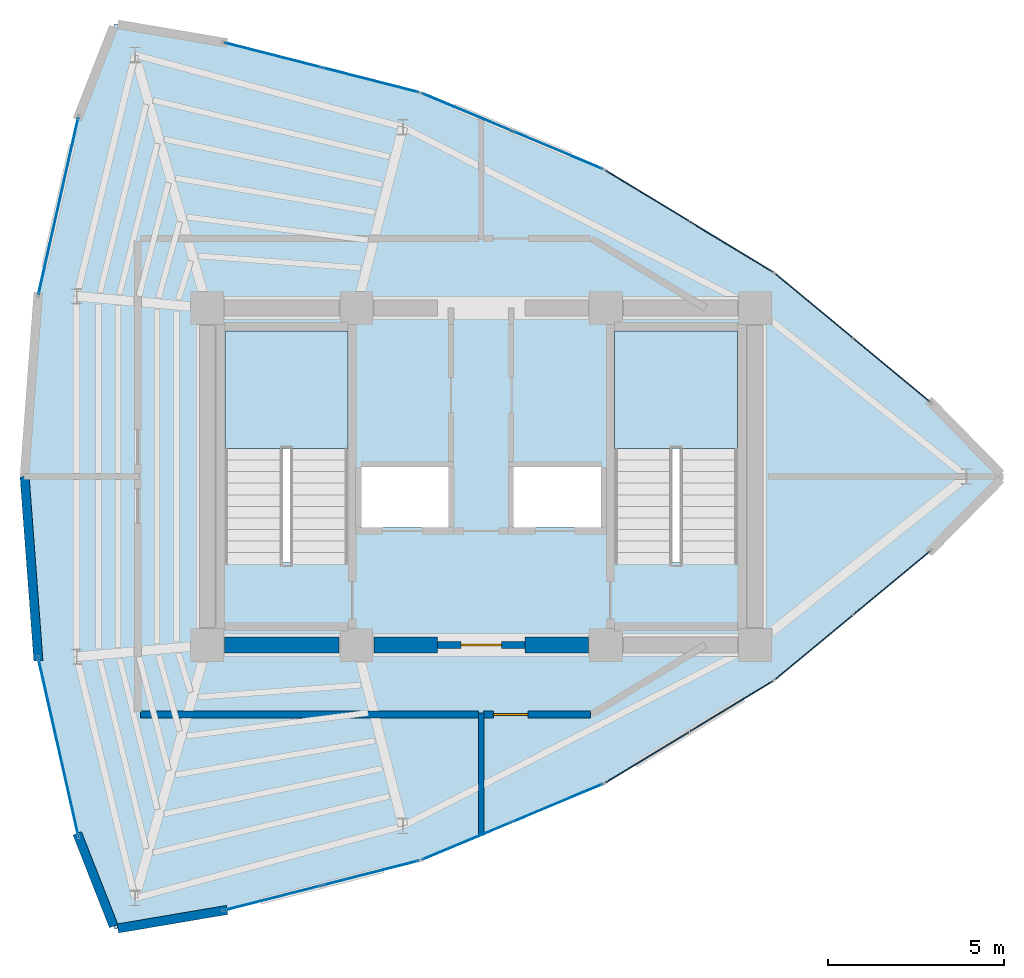
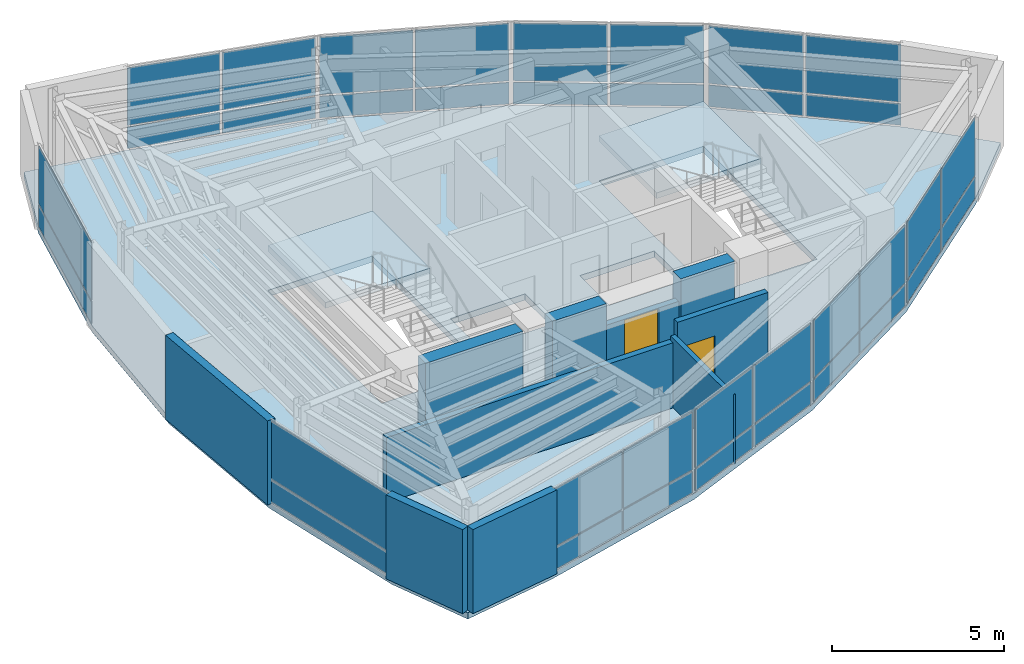
# One storey, part 11 of 14: 36 plates, 10 walls, 3 slabs, 2 doors, 2 openings, 12 elements without a shape of their own.
"""IFC4 building model written with IfcOpenShell, lengths in metres."""

from ifc_helpers import new_model, si_unit, direction, frame, frame_2d, origin, origin_2d, place, context, subcontext, project, spatial, polyline, rectangle, outline, extrude, material, layer, layer_set, type_object, element, fill, aggregate, save


model = new_model("IFC4")

# Units and contexts
model_context = context("Model", 3, precision=1e-05, world=origin(), true_north=direction((0.0, 1.0)))
body_context = subcontext(model_context, "Body", "Model", "MODEL_VIEW")
ifc_project = project(units=[si_unit("LENGTHUNIT", "METRE"), si_unit("AREAUNIT", "SQUARE_METRE"), si_unit("VOLUMEUNIT", "CUBIC_METRE"), si_unit("PLANEANGLEUNIT", "RADIAN"), si_unit("MASSUNIT", "GRAM", prefix="KILO")], contexts=[model_context])

# Site, building, storey
site_placement = place(None, origin())
site = spatial("IfcSite", under=ifc_project, at=site_placement, CompositionType="ELEMENT")
building_placement = place(site_placement, origin())
building = spatial("IfcBuilding", under=site, at=building_placement, Name="Menara Vayukalpa", CompositionType="ELEMENT")
storey_placement = place(building_placement, frame((0.0, 0.0, 305.6201171875)))
storey = spatial("IfcBuildingStorey", under=building, at=storey_placement, Name="L78", CompositionType="ELEMENT", Elevation=305.6201171875)

# Curtain wall, plates
ifc_material_1 = material(Name="Anodised Terracotta Aluminium Alloy 6063-T6", Category="masonry")
ifc_layer_1 = layer(ifc_material_1, 0.14990234375)
ifc_layer_set_1 = layer_set([ifc_layer_1], Name="Anodised Terracotta Aluminium Alloy 6063-T6")
curtain_wall_type = type_object("IfcCurtainWallType", Name="CW-CW7", PredefinedType="USERDEFINED", material=ifc_layer_set_1)
curtain_wall_1_placement = place(storey_placement, origin())
curtain_wall_1 = element("IfcCurtainWall", 1, at=curtain_wall_1_placement, inside=storey, type_object=curtain_wall_type, Name="L78 Crown Drum Screened Curtain Wall CW7 03", ObjectType="UNITISED", PredefinedType="USERDEFINED")
ifc_material_2 = material(Name="Low-E Double Glazing", Category="glass")
ifc_layer_2 = layer(ifc_material_2, 0.02587890625)
ifc_layer_set_2 = layer_set([ifc_layer_2], Name="Low-E Double Glazing")
plate_type = type_object("IfcPlateType", Name="CWP-CW7", PredefinedType="CURTAIN_PANEL", material=ifc_layer_set_2)
plate_1_placement = place(storey_placement, frame((37.28271484375, 25.031982421875, 0.06005859375), z_axis=(0.0, 0.0, 1.0), x_axis=(-0.7697490702, 0.63834658997, 0.0)))
plate_1 = element("IfcPlate", 2, at=plate_1_placement, type_object=plate_type, Name="CW7 panel 1.1", PredefinedType="CURTAIN_PANEL", context=body_context, shape_type="SweptSolid", body=[
    extrude(rectangle(XDim=2.80078125, YDim=0.02587890625, at=origin_2d()), origin(), (0.0, 0.0, 1.0), 0.760009765625),
])
plate_2_placement = place(storey_placement, frame((37.28271484375, 25.031982421875, 0.8798828125), z_axis=(0.0, 0.0, 1.0), x_axis=(-0.7697490702, 0.63834658997, 0.0)))
plate_2 = element("IfcPlate", 3, at=plate_2_placement, type_object=plate_type, Name="CW7 panel 1.2", PredefinedType="CURTAIN_PANEL", context=body_context, shape_type="SweptSolid", body=[
    extrude(rectangle(XDim=2.80078125, YDim=0.02587890625, at=origin_2d()), origin(), (0.0, 0.0, 1.0), 2.0400390625),
])
plate_3_placement = place(storey_placement, frame((35.07666015625, 26.861328125, 0.06005859375), z_axis=(0.0, 0.0, 1.0), x_axis=(-0.7697490702, 0.63834658997, 0.0)))
plate_3 = element("IfcPlate", 4, at=plate_3_placement, type_object=plate_type, Name="CW7 panel 2.1", PredefinedType="CURTAIN_PANEL", context=body_context, shape_type="SweptSolid", body=[
    extrude(rectangle(XDim=2.80078125, YDim=0.02587890625, at=origin_2d()), origin(), (0.0, 0.0, 1.0), 0.760009765625),
])
plate_4_placement = place(storey_placement, frame((35.07666015625, 26.861328125, 0.8798828125), z_axis=(0.0, 0.0, 1.0), x_axis=(-0.7697490702, 0.63834658997, 0.0)))
plate_4 = element("IfcPlate", 5, at=plate_4_placement, type_object=plate_type, Name="CW7 panel 2.2", PredefinedType="CURTAIN_PANEL", context=body_context, shape_type="SweptSolid", body=[
    extrude(rectangle(XDim=2.80078125, YDim=0.02587890625, at=origin_2d()), origin(), (0.0, 0.0, 1.0), 2.0400390625),
])
aggregate(curtain_wall_1, [plate_1, plate_2, plate_3, plate_4])

curtain_wall_2_placement = place(storey_placement, origin())
curtain_wall_2 = element("IfcCurtainWall", 6, at=curtain_wall_2_placement, inside=storey, type_object=curtain_wall_type, Name="L78 Crown Drum Screened Curtain Wall CW7 04", ObjectType="UNITISED", PredefinedType="USERDEFINED")
plate_5_placement = place(storey_placement, frame((32.72314453125, 28.541259765625, 0.06005859375), z_axis=(0.0, 0.0, 1.0), x_axis=(-0.854667083096, 0.519176441176, 0.0)))
plate_5 = element("IfcPlate", 7, at=plate_5_placement, type_object=plate_type, Name="CW7 panel 1.1", PredefinedType="CURTAIN_PANEL", context=body_context, shape_type="SweptSolid", body=[
    extrude(rectangle(XDim=2.738037109375, YDim=0.02587890625, at=origin_2d()), origin(), (0.0, 0.0, 1.0), 0.760009765625),
])
plate_6_placement = place(storey_placement, frame((32.72314453125, 28.541259765625, 0.8798828125), z_axis=(0.0, 0.0, 1.0), x_axis=(-0.854667083096, 0.519176441176, 0.0)))
plate_6 = element("IfcPlate", 8, at=plate_6_placement, type_object=plate_type, Name="CW7 panel 1.2", PredefinedType="CURTAIN_PANEL", context=body_context, shape_type="SweptSolid", body=[
    extrude(rectangle(XDim=2.738037109375, YDim=0.02587890625, at=origin_2d()), origin(), (0.0, 0.0, 1.0), 2.0400390625),
])
plate_7_placement = place(storey_placement, frame((30.327392578125, 29.99658203125, 0.06005859375), z_axis=(0.0, 0.0, 1.0), x_axis=(-0.854667083096, 0.519176441176, 0.0)))
plate_7 = element("IfcPlate", 9, at=plate_7_placement, type_object=plate_type, Name="CW7 panel 2.1", PredefinedType="CURTAIN_PANEL", context=body_context, shape_type="SweptSolid", body=[
    extrude(rectangle(XDim=2.738037109375, YDim=0.02587890625, at=origin_2d()), origin(), (0.0, 0.0, 1.0), 0.760009765625),
])
plate_8_placement = place(storey_placement, frame((30.327392578125, 29.99658203125, 0.8798828125), z_axis=(0.0, 0.0, 1.0), x_axis=(-0.854667083096, 0.519176441176, 0.0)))
plate_8 = element("IfcPlate", 10, at=plate_8_placement, type_object=plate_type, Name="CW7 panel 2.2", PredefinedType="CURTAIN_PANEL", context=body_context, shape_type="SweptSolid", body=[
    extrude(rectangle(XDim=2.738037109375, YDim=0.02587890625, at=origin_2d()), origin(), (0.0, 0.0, 1.0), 2.0400390625),
])
aggregate(curtain_wall_2, [plate_5, plate_6, plate_7, plate_8])

curtain_wall_3_placement = place(storey_placement, origin())
curtain_wall_3 = element("IfcCurtainWall", 11, at=curtain_wall_3_placement, inside=storey, type_object=curtain_wall_type, Name="L78 Crown Drum Screened Curtain Wall CW7 05", ObjectType="UNITISED", PredefinedType="USERDEFINED")
plate_9_placement = place(storey_placement, frame((27.77880859375, 31.29443359375, 0.06005859375), z_axis=(0.0, 0.0, 1.0), x_axis=(-0.922541302191, 0.385898361946, 0.0)))
plate_9 = element("IfcPlate", 12, at=plate_9_placement, type_object=plate_type, Name="CW7 panel 1.1", PredefinedType="CURTAIN_PANEL", context=body_context, shape_type="SweptSolid", body=[
    extrude(rectangle(XDim=2.738037109375, YDim=0.02587890625, at=origin_2d()), origin(), (0.0, 0.0, 1.0), 0.760009765625),
])
plate_10_placement = place(storey_placement, frame((27.77880859375, 31.29443359375, 0.8798828125), z_axis=(0.0, 0.0, 1.0), x_axis=(-0.922541302191, 0.385898361946, 0.0)))
plate_10 = element("IfcPlate", 13, at=plate_10_placement, type_object=plate_type, Name="CW7 panel 1.2", PredefinedType="CURTAIN_PANEL", context=body_context, shape_type="SweptSolid", body=[
    extrude(rectangle(XDim=2.738037109375, YDim=0.02587890625, at=origin_2d()), origin(), (0.0, 0.0, 1.0), 2.0400390625),
])
plate_11_placement = place(storey_placement, frame((25.19287109375, 32.376220703125, 0.06005859375), z_axis=(0.0, 0.0, 1.0), x_axis=(-0.922541302191, 0.385898361946, 0.0)))
plate_11 = element("IfcPlate", 14, at=plate_11_placement, type_object=plate_type, Name="CW7 panel 2.1", PredefinedType="CURTAIN_PANEL", context=body_context, shape_type="SweptSolid", body=[
    extrude(rectangle(XDim=2.738037109375, YDim=0.02587890625, at=origin_2d()), origin(), (0.0, 0.0, 1.0), 0.760009765625),
])
plate_12_placement = place(storey_placement, frame((25.19287109375, 32.376220703125, 0.8798828125), z_axis=(0.0, 0.0, 1.0), x_axis=(-0.922541302191, 0.385898361946, 0.0)))
plate_12 = element("IfcPlate", 15, at=plate_12_placement, type_object=plate_type, Name="CW7 panel 2.2", PredefinedType="CURTAIN_PANEL", context=body_context, shape_type="SweptSolid", body=[
    extrude(rectangle(XDim=2.738037109375, YDim=0.02587890625, at=origin_2d()), origin(), (0.0, 0.0, 1.0), 2.0400390625),
])
aggregate(curtain_wall_3, [plate_9, plate_10, plate_11, plate_12])

curtain_wall_4_placement = place(storey_placement, origin())
curtain_wall_4 = element("IfcCurtainWall", 16, at=curtain_wall_4_placement, inside=storey, type_object=curtain_wall_type, Name="L78 Crown Drum Screened Curtain Wall CW7 06", ObjectType="UNITISED", PredefinedType="USERDEFINED")
plate_13_placement = place(storey_placement, frame((22.449951171875, 33.291748046875, 0.06005859375), z_axis=(0.0, 0.0, 1.0), x_axis=(-0.968983924097, 0.247123764219, 0.0)))
plate_13 = element("IfcPlate", 17, at=plate_13_placement, type_object=plate_type, Name="CW7 panel 1.1", PredefinedType="CURTAIN_PANEL", context=body_context, shape_type="SweptSolid", body=[
    extrude(rectangle(XDim=2.80078125, YDim=0.02587890625, at=origin_2d()), origin(), (0.0, 0.0, 1.0), 0.760009765625),
])
plate_14_placement = place(storey_placement, frame((22.449951171875, 33.291748046875, 0.8798828125), z_axis=(0.0, 0.0, 1.0), x_axis=(-0.968983924097, 0.247123764219, 0.0)))
plate_14 = element("IfcPlate", 18, at=plate_14_placement, type_object=plate_type, Name="CW7 panel 1.2", PredefinedType="CURTAIN_PANEL", context=body_context, shape_type="SweptSolid", body=[
    extrude(rectangle(XDim=2.80078125, YDim=0.02587890625, at=origin_2d()), origin(), (0.0, 0.0, 1.0), 2.0400390625),
])
plate_15_placement = place(storey_placement, frame((19.6728515625, 34.0, 0.06005859375), z_axis=(0.0, 0.0, 1.0), x_axis=(-0.968983924097, 0.247123764219, 0.0)))
plate_15 = element("IfcPlate", 19, at=plate_15_placement, type_object=plate_type, Name="CW7 panel 2.1", PredefinedType="CURTAIN_PANEL", context=body_context, shape_type="SweptSolid", body=[
    extrude(rectangle(XDim=2.80078125, YDim=0.02587890625, at=origin_2d()), origin(), (0.0, 0.0, 1.0), 0.760009765625),
])
plate_16_placement = place(storey_placement, frame((19.6728515625, 34.0, 0.8798828125), z_axis=(0.0, 0.0, 1.0), x_axis=(-0.968983924097, 0.247123764219, 0.0)))
plate_16 = element("IfcPlate", 20, at=plate_16_placement, type_object=plate_type, Name="CW7 panel 2.2", PredefinedType="CURTAIN_PANEL", context=body_context, shape_type="SweptSolid", body=[
    extrude(rectangle(XDim=2.80078125, YDim=0.02587890625, at=origin_2d()), origin(), (0.0, 0.0, 1.0), 2.0400390625),
])
aggregate(curtain_wall_4, [plate_13, plate_14, plate_15, plate_16])

curtain_wall_5_placement = place(storey_placement, origin())
curtain_wall_5 = element("IfcCurtainWall", 21, at=curtain_wall_5_placement, inside=storey, type_object=curtain_wall_type, Name="L78 Crown Drum Screened Curtain Wall CW7 09", ObjectType="UNITISED", PredefinedType="USERDEFINED")
plate_17_placement = place(storey_placement, frame((13.558837890625, 29.69921875, 0.06005859375), z_axis=(0.0, 0.0, 1.0), x_axis=(-0.219515813421, -0.975608941973, 0.0)))
plate_17 = element("IfcPlate", 22, at=plate_17_placement, type_object=plate_type, Name="CW7 panel 1.1", PredefinedType="CURTAIN_PANEL", context=body_context, shape_type="SweptSolid", body=[
    extrude(rectangle(XDim=5.131103515625, YDim=0.02587890625, at=origin_2d()), origin(), (0.0, 0.0, 1.0), 0.760009765625),
])
plate_18_placement = place(storey_placement, frame((13.558837890625, 29.69921875, 0.8798828125), z_axis=(0.0, 0.0, 1.0), x_axis=(-0.219515813421, -0.975608941973, 0.0)))
plate_18 = element("IfcPlate", 23, at=plate_18_placement, type_object=plate_type, Name="CW7 panel 1.2", PredefinedType="CURTAIN_PANEL", context=body_context, shape_type="SweptSolid", body=[
    extrude(rectangle(XDim=5.131103515625, YDim=0.02587890625, at=origin_2d()), origin(), (0.0, 0.0, 1.0), 2.0400390625),
])
aggregate(curtain_wall_5, [plate_17, plate_18])

curtain_wall_6_placement = place(storey_placement, origin())
curtain_wall_6 = element("IfcCurtainWall", 24, at=curtain_wall_6_placement, inside=storey, type_object=curtain_wall_type, Name="L78 Crown Drum Screened Curtain Wall CW7 12", ObjectType="UNITISED", PredefinedType="USERDEFINED")
plate_19_placement = place(storey_placement, frame((13.558837890625, 14.30078125, 0.06005859375), z_axis=(0.0, 0.0, 1.0), x_axis=(0.219515813421, -0.975608941973, 0.0)))
plate_19 = element("IfcPlate", 25, at=plate_19_placement, type_object=plate_type, Name="CW7 panel 1.1", PredefinedType="CURTAIN_PANEL", context=body_context, shape_type="SweptSolid", body=[
    extrude(rectangle(XDim=5.131103515625, YDim=0.02587890625, at=origin_2d()), origin(), (0.0, 0.0, 1.0), 0.760009765625),
])
plate_20_placement = place(storey_placement, frame((13.558837890625, 14.30078125, 0.8798828125), z_axis=(0.0, 0.0, 1.0), x_axis=(0.219515813421, -0.975608941973, 0.0)))
plate_20 = element("IfcPlate", 26, at=plate_20_placement, type_object=plate_type, Name="CW7 panel 1.2", PredefinedType="CURTAIN_PANEL", context=body_context, shape_type="SweptSolid", body=[
    extrude(rectangle(XDim=5.131103515625, YDim=0.02587890625, at=origin_2d()), origin(), (0.0, 0.0, 1.0), 2.0400390625),
])
aggregate(curtain_wall_6, [plate_19, plate_20])

curtain_wall_7_placement = place(storey_placement, origin())
curtain_wall_7 = element("IfcCurtainWall", 27, at=curtain_wall_7_placement, inside=storey, type_object=curtain_wall_type, Name="L78 Crown Drum Screened Curtain Wall CW7 15", ObjectType="UNITISED", PredefinedType="USERDEFINED")
plate_21_placement = place(storey_placement, frame((19.6728515625, 10.0, 0.06005859375), z_axis=(0.0, 0.0, 1.0), x_axis=(0.968983924097, 0.247123764219, 0.0)))
plate_21 = element("IfcPlate", 28, at=plate_21_placement, type_object=plate_type, Name="CW7 panel 1.1", PredefinedType="CURTAIN_PANEL", context=body_context, shape_type="SweptSolid", body=[
    extrude(rectangle(XDim=2.80078125, YDim=0.02587890625, at=origin_2d()), origin(), (0.0, 0.0, 1.0), 0.760009765625),
])
plate_22_placement = place(storey_placement, frame((19.6728515625, 10.0, 0.8798828125), z_axis=(0.0, 0.0, 1.0), x_axis=(0.968983924097, 0.247123764219, 0.0)))
plate_22 = element("IfcPlate", 29, at=plate_22_placement, type_object=plate_type, Name="CW7 panel 1.2", PredefinedType="CURTAIN_PANEL", context=body_context, shape_type="SweptSolid", body=[
    extrude(rectangle(XDim=2.80078125, YDim=0.02587890625, at=origin_2d()), origin(), (0.0, 0.0, 1.0), 2.0400390625),
])
plate_23_placement = place(storey_placement, frame((22.449951171875, 10.708251953125, 0.06005859375), z_axis=(0.0, 0.0, 1.0), x_axis=(0.968983924097, 0.247123764219, 0.0)))
plate_23 = element("IfcPlate", 30, at=plate_23_placement, type_object=plate_type, Name="CW7 panel 2.1", PredefinedType="CURTAIN_PANEL", context=body_context, shape_type="SweptSolid", body=[
    extrude(rectangle(XDim=2.80078125, YDim=0.02587890625, at=origin_2d()), origin(), (0.0, 0.0, 1.0), 0.760009765625),
])
plate_24_placement = place(storey_placement, frame((22.449951171875, 10.708251953125, 0.8798828125), z_axis=(0.0, 0.0, 1.0), x_axis=(0.968983924097, 0.247123764219, 0.0)))
plate_24 = element("IfcPlate", 31, at=plate_24_placement, type_object=plate_type, Name="CW7 panel 2.2", PredefinedType="CURTAIN_PANEL", context=body_context, shape_type="SweptSolid", body=[
    extrude(rectangle(XDim=2.80078125, YDim=0.02587890625, at=origin_2d()), origin(), (0.0, 0.0, 1.0), 2.0400390625),
])
aggregate(curtain_wall_7, [plate_21, plate_22, plate_23, plate_24])

curtain_wall_8_placement = place(storey_placement, origin())
curtain_wall_8 = element("IfcCurtainWall", 32, at=curtain_wall_8_placement, inside=storey, type_object=curtain_wall_type, Name="L78 Crown Drum Screened Curtain Wall CW7 16", ObjectType="UNITISED", PredefinedType="USERDEFINED")
plate_25_placement = place(storey_placement, frame((25.19287109375, 11.623779296875, 0.06005859375), z_axis=(0.0, 0.0, 1.0), x_axis=(0.922541302191, 0.385898361946, 0.0)))
plate_25 = element("IfcPlate", 33, at=plate_25_placement, type_object=plate_type, Name="CW7 panel 1.1", PredefinedType="CURTAIN_PANEL", context=body_context, shape_type="SweptSolid", body=[
    extrude(rectangle(XDim=2.738037109375, YDim=0.02587890625, at=origin_2d()), origin(), (0.0, 0.0, 1.0), 0.760009765625),
])
plate_26_placement = place(storey_placement, frame((25.19287109375, 11.623779296875, 0.8798828125), z_axis=(0.0, 0.0, 1.0), x_axis=(0.922541302191, 0.385898361946, 0.0)))
plate_26 = element("IfcPlate", 34, at=plate_26_placement, type_object=plate_type, Name="CW7 panel 1.2", PredefinedType="CURTAIN_PANEL", context=body_context, shape_type="SweptSolid", body=[
    extrude(rectangle(XDim=2.738037109375, YDim=0.02587890625, at=origin_2d()), origin(), (0.0, 0.0, 1.0), 2.0400390625),
])
plate_27_placement = place(storey_placement, frame((27.77880859375, 12.70556640625, 0.06005859375), z_axis=(0.0, 0.0, 1.0), x_axis=(0.922541302191, 0.385898361946, 0.0)))
plate_27 = element("IfcPlate", 35, at=plate_27_placement, type_object=plate_type, Name="CW7 panel 2.1", PredefinedType="CURTAIN_PANEL", context=body_context, shape_type="SweptSolid", body=[
    extrude(rectangle(XDim=2.738037109375, YDim=0.02587890625, at=origin_2d()), origin(), (0.0, 0.0, 1.0), 0.760009765625),
])
plate_28_placement = place(storey_placement, frame((27.77880859375, 12.70556640625, 0.8798828125), z_axis=(0.0, 0.0, 1.0), x_axis=(0.922541302191, 0.385898361946, 0.0)))
plate_28 = element("IfcPlate", 36, at=plate_28_placement, type_object=plate_type, Name="CW7 panel 2.2", PredefinedType="CURTAIN_PANEL", context=body_context, shape_type="SweptSolid", body=[
    extrude(rectangle(XDim=2.738037109375, YDim=0.02587890625, at=origin_2d()), origin(), (0.0, 0.0, 1.0), 2.0400390625),
])
aggregate(curtain_wall_8, [plate_25, plate_26, plate_27, plate_28])

curtain_wall_9_placement = place(storey_placement, origin())
curtain_wall_9 = element("IfcCurtainWall", 37, at=curtain_wall_9_placement, inside=storey, type_object=curtain_wall_type, Name="L78 Crown Drum Screened Curtain Wall CW7 17", ObjectType="UNITISED", PredefinedType="USERDEFINED")
plate_29_placement = place(storey_placement, frame((30.327392578125, 14.00341796875, 0.06005859375), z_axis=(0.0, 0.0, 1.0), x_axis=(0.854667083096, 0.519176441176, 0.0)))
plate_29 = element("IfcPlate", 38, at=plate_29_placement, type_object=plate_type, Name="CW7 panel 1.1", PredefinedType="CURTAIN_PANEL", context=body_context, shape_type="SweptSolid", body=[
    extrude(rectangle(XDim=2.738037109375, YDim=0.02587890625, at=origin_2d()), origin(), (0.0, 0.0, 1.0), 0.760009765625),
])
plate_30_placement = place(storey_placement, frame((30.327392578125, 14.00341796875, 0.8798828125), z_axis=(0.0, 0.0, 1.0), x_axis=(0.854667083096, 0.519176441176, 0.0)))
plate_30 = element("IfcPlate", 39, at=plate_30_placement, type_object=plate_type, Name="CW7 panel 1.2", PredefinedType="CURTAIN_PANEL", context=body_context, shape_type="SweptSolid", body=[
    extrude(rectangle(XDim=2.738037109375, YDim=0.02587890625, at=origin_2d()), origin(), (0.0, 0.0, 1.0), 2.0400390625),
])
plate_31_placement = place(storey_placement, frame((32.72314453125, 15.458740234375, 0.06005859375), z_axis=(0.0, 0.0, 1.0), x_axis=(0.854667083096, 0.519176441176, 0.0)))
plate_31 = element("IfcPlate", 40, at=plate_31_placement, type_object=plate_type, Name="CW7 panel 2.1", PredefinedType="CURTAIN_PANEL", context=body_context, shape_type="SweptSolid", body=[
    extrude(rectangle(XDim=2.738037109375, YDim=0.02587890625, at=origin_2d()), origin(), (0.0, 0.0, 1.0), 0.760009765625),
])
plate_32_placement = place(storey_placement, frame((32.72314453125, 15.458740234375, 0.8798828125), z_axis=(0.0, 0.0, 1.0), x_axis=(0.854667083096, 0.519176441176, 0.0)))
plate_32 = element("IfcPlate", 41, at=plate_32_placement, type_object=plate_type, Name="CW7 panel 2.2", PredefinedType="CURTAIN_PANEL", context=body_context, shape_type="SweptSolid", body=[
    extrude(rectangle(XDim=2.738037109375, YDim=0.02587890625, at=origin_2d()), origin(), (0.0, 0.0, 1.0), 2.0400390625),
])
aggregate(curtain_wall_9, [plate_29, plate_30, plate_31, plate_32])

curtain_wall_10_placement = place(storey_placement, origin())
curtain_wall_10 = element("IfcCurtainWall", 42, at=curtain_wall_10_placement, inside=storey, type_object=curtain_wall_type, Name="L78 Crown Drum Screened Curtain Wall CW7 18", ObjectType="UNITISED", PredefinedType="USERDEFINED")
plate_33_placement = place(storey_placement, frame((35.07666015625, 17.138671875, 0.06005859375), z_axis=(0.0, 0.0, 1.0), x_axis=(0.7697490702, 0.63834658997, 0.0)))
plate_33 = element("IfcPlate", 43, at=plate_33_placement, type_object=plate_type, Name="CW7 panel 1.1", PredefinedType="CURTAIN_PANEL", context=body_context, shape_type="SweptSolid", body=[
    extrude(rectangle(XDim=2.80078125, YDim=0.02587890625, at=origin_2d()), origin(), (0.0, 0.0, 1.0), 0.760009765625),
])
plate_34_placement = place(storey_placement, frame((35.07666015625, 17.138671875, 0.8798828125), z_axis=(0.0, 0.0, 1.0), x_axis=(0.7697490702, 0.63834658997, 0.0)))
plate_34 = element("IfcPlate", 44, at=plate_34_placement, type_object=plate_type, Name="CW7 panel 1.2", PredefinedType="CURTAIN_PANEL", context=body_context, shape_type="SweptSolid", body=[
    extrude(rectangle(XDim=2.80078125, YDim=0.02587890625, at=origin_2d()), origin(), (0.0, 0.0, 1.0), 2.0400390625),
])
plate_35_placement = place(storey_placement, frame((37.28271484375, 18.968017578125, 0.06005859375), z_axis=(0.0, 0.0, 1.0), x_axis=(0.7697490702, 0.63834658997, 0.0)))
plate_35 = element("IfcPlate", 45, at=plate_35_placement, type_object=plate_type, Name="CW7 panel 2.1", PredefinedType="CURTAIN_PANEL", context=body_context, shape_type="SweptSolid", body=[
    extrude(rectangle(XDim=2.80078125, YDim=0.02587890625, at=origin_2d()), origin(), (0.0, 0.0, 1.0), 0.760009765625),
])
plate_36_placement = place(storey_placement, frame((37.28271484375, 18.968017578125, 0.8798828125), z_axis=(0.0, 0.0, 1.0), x_axis=(0.7697490702, 0.63834658997, 0.0)))
plate_36 = element("IfcPlate", 46, at=plate_36_placement, type_object=plate_type, Name="CW7 panel 2.2", PredefinedType="CURTAIN_PANEL", context=body_context, shape_type="SweptSolid", body=[
    extrude(rectangle(XDim=2.80078125, YDim=0.02587890625, at=origin_2d()), origin(), (0.0, 0.0, 1.0), 2.0400390625),
])
aggregate(curtain_wall_10, [plate_33, plate_34, plate_35, plate_36])

# Slab
ifc_material_3 = material(Name="Concrete C40/50", Category="concrete")
ifc_layer_3 = layer(ifc_material_3, 0.219970703125)
ifc_layer_set_3 = layer_set([ifc_layer_3], Name="Concrete C40/50")
slab_type_1 = type_object("IfcSlabType", Name="SLB-FL220", PredefinedType="FLOOR", material=ifc_layer_set_3)
slab_1_placement = place(storey_placement, frame((0.0, 0.0, -0.22021484375)))
element("IfcSlab", 47, at=slab_1_placement, inside=storey, type_object=slab_type_1, Name="L78 Structural Floor Slab", PredefinedType="FLOOR", context=body_context, shape_type="SweptSolid", body=[
    extrude(outline(polyline([(38.41064453125, 19.903564453125), (40.468994140625, 22.0), (38.41064453125, 24.096435546875), (33.94873046875, 27.796875), (29.101806640625, 30.7412109375), (23.869873046875, 32.9296875), (18.2529296875, 34.362060546875), (15.16552734375, 34.88623046875), (14.13623046875, 32.265625), (12.9814453125, 27.1328125), (12.596435546875, 22.0), (12.9814453125, 16.8671875), (14.13623046875, 11.734375), (15.16552734375, 9.11376953125), (18.2529296875, 9.637939453125), (23.869873046875, 11.0703125), (29.101806640625, 13.2587890625), (33.94873046875, 16.203125), (38.41064453125, 19.903564453125)]), holes=[polyline([(21.800048828125, 19.550048828125), (21.800048828125, 26.14990234375), (18.300048828125, 26.14990234375), (18.300048828125, 19.550048828125), (21.800048828125, 19.550048828125)]), polyline([(32.89990234375, 19.550048828125), (32.89990234375, 26.14990234375), (29.39990234375, 26.14990234375), (29.39990234375, 19.550048828125), (32.89990234375, 19.550048828125)]), polyline([(22.179931640625, 20.550048828125), (24.679931640625, 20.550048828125), (24.679931640625, 22.27001953125), (22.179931640625, 22.27001953125), (22.179931640625, 20.550048828125)]), polyline([(26.52001953125, 20.550048828125), (29.02001953125, 20.550048828125), (29.02001953125, 22.27001953125), (26.52001953125, 22.27001953125), (26.52001953125, 20.550048828125)])]), origin(), (0.0, 0.0, 1.0), 0.22021484375),
])

# Stair, slab
ifc_material_4 = material(Name="Precast Concrete C40/50", Category="concrete")
stair_type = type_object("IfcStairType", Name="STR-T07", PredefinedType="DOUBLE_RETURN_STAIR", material=ifc_material_4)
stair_1_placement = place(storey_placement, origin())
stair_1 = element("IfcStair", 48, at=stair_1_placement, inside=storey, type_object=stair_type, Name="L78 Core Exit Stair ST-1", PredefinedType="DOUBLE_RETURN_STAIR")
ifc_material_5 = material(Name="Precast Concrete C40/50", Category="concrete")
ifc_layer_4 = layer(ifc_material_5, 0.199951171875)
ifc_layer_set_4 = layer_set([ifc_layer_4], Name="Precast Concrete C40/50")
slab_type_2 = type_object("IfcSlabType", Name="SLB-LND200", PredefinedType="LANDING", material=ifc_layer_set_4)
slab_2_placement = place(storey_placement, frame((0.0, 0.0, 1.39990234375)))
slab_2 = element("IfcSlab", 49, at=slab_2_placement, type_object=slab_type_2, Name="ST-1 landing 1", PredefinedType="LANDING", context=body_context, shape_type="SweptSolid", body=[
    extrude(outline(polyline([(21.800048828125, 22.800048828125), (21.800048828125, 26.14990234375), (18.300048828125, 26.14990234375), (18.300048828125, 22.800048828125), (21.800048828125, 22.800048828125)])), origin(), (0.0, 0.0, 1.0), 0.199951171875),
])
aggregate(stair_1, [slab_2])

stair_2_placement = place(storey_placement, origin())
stair_2 = element("IfcStair", 50, at=stair_2_placement, inside=storey, type_object=stair_type, Name="L78 Core Exit Stair ST-2", PredefinedType="DOUBLE_RETURN_STAIR")
slab_3_placement = place(storey_placement, frame((0.0, 0.0, 1.39990234375)))
slab_3 = element("IfcSlab", 51, at=slab_3_placement, type_object=slab_type_2, Name="ST-2 landing 1", PredefinedType="LANDING", context=body_context, shape_type="SweptSolid", body=[
    extrude(outline(polyline([(32.89990234375, 22.800048828125), (32.89990234375, 26.14990234375), (29.39990234375, 26.14990234375), (29.39990234375, 22.800048828125), (32.89990234375, 22.800048828125)])), origin(), (0.0, 0.0, 1.0), 0.199951171875),
])
aggregate(stair_2, [slab_3])

# Walls
ifc_material_6 = material(Name="Concrete C50/60", Category="concrete")
ifc_layer_5 = layer(ifc_material_6, 0.449951171875)
ifc_layer_set_5 = layer_set([ifc_layer_5], Name="Concrete C50/60")
wall_type_1 = type_object("IfcWallType", Name="WAL-CW450", PredefinedType="SHEAR", material=ifc_layer_set_5)
wall_1_placement = place(storey_placement, frame((18.294921875, 17.199951171875, 0.0), z_axis=(0.0, 0.0, 1.0), x_axis=(1.0, 0.0, 0.0)))
element("IfcWall", 52, at=wall_1_placement, inside=storey, type_object=wall_type_1, Name="L78 Buttressed Core Shear Wall CWS1", PredefinedType="SHEAR", context=body_context, shape_type="SweptSolid", body=[
    extrude(rectangle(XDim=3.260009765625, YDim=0.449951171875, at=frame_2d((1.6298828125, 0.0))), origin(), (0.0, 0.0, 1.0), 2.97998046875),
])
wall_2_placement = place(storey_placement, frame((22.544921875, 17.199951171875, 0.0), z_axis=(0.0, 0.0, 1.0), x_axis=(1.0, 0.0, 0.0)))
element("IfcWall", 53, at=wall_2_placement, inside=storey, type_object=wall_type_1, Name="L78 Buttressed Core Shear Wall CWS2", PredefinedType="SHEAR", context=body_context, shape_type="SweptSolid", body=[
    extrude(rectangle(XDim=1.80517578125, YDim=0.449951171875, at=frame_2d((0.902587890625, 0.0))), origin(), (0.0, 0.0, 1.0), 2.97998046875),
])
wall_3_placement = place(storey_placement, frame((26.85009765625, 17.199951171875, 0.0), z_axis=(0.0, 0.0, 1.0), x_axis=(1.0, 0.0, 0.0)))
element("IfcWall", 54, at=wall_3_placement, inside=storey, type_object=wall_type_1, Name="L78 Buttressed Core Shear Wall CWS3", PredefinedType="SHEAR", context=body_context, shape_type="SweptSolid", body=[
    extrude(rectangle(XDim=1.804931640625, YDim=0.449951171875, at=frame_2d((0.90234375, 0.0))), origin(), (0.0, 0.0, 1.0), 2.97998046875),
])
ifc_material_7 = material(Name="Insulated Precast Concrete C40/50", Category="concrete")
ifc_layer_6 = layer(ifc_material_7, 0.260009765625)
ifc_layer_set_6 = layer_set([ifc_layer_6], Name="Insulated Precast Concrete C40/50")
wall_type_2 = type_object("IfcWallType", Name="WAL-EXT260", PredefinedType="PARTITIONING", material=ifc_layer_set_6)
wall_4_placement = place(storey_placement, frame((12.989501953125, 16.757568359375, 0.0), z_axis=(0.0, 0.0, 1.0), x_axis=(-0.074768012725, 0.99720095481, 0.0)))
element("IfcWall", 55, at=wall_4_placement, inside=storey, type_object=wall_type_2, Name="L78 Perimeter Terracotta Pier Wall 11", PredefinedType="PARTITIONING", context=body_context, shape_type="SweptSolid", body=[
    extrude(rectangle(XDim=5.257080078125, YDim=0.260009765625, at=frame_2d((2.62841796875, 0.0))), origin(), (0.0, 0.0, 1.0), 2.97998046875),
])
wall_5_placement = place(storey_placement, frame((15.133544921875, 9.195068359375, 0.0), z_axis=(0.0, 0.0, 1.0), x_axis=(-0.365495346637, 0.930813166853, 0.0)))
element("IfcWall", 56, at=wall_5_placement, inside=storey, type_object=wall_type_2, Name="L78 Perimeter Terracotta Pier Wall 13", PredefinedType="PARTITIONING", context=body_context, shape_type="SweptSolid", body=[
    extrude(rectangle(XDim=2.838134765625, YDim=0.260009765625, at=frame_2d((1.4189453125, 0.0))), origin(), (0.0, 0.0, 1.0), 2.97998046875),
])
wall_6_placement = place(storey_placement, frame((18.366455078125, 9.656982421875, 0.0), z_axis=(0.0, 0.0, 1.0), x_axis=(-0.985905089134, -0.167305574383, 0.0)))
element("IfcWall", 57, at=wall_6_placement, inside=storey, type_object=wall_type_2, Name="L78 Perimeter Terracotta Pier Wall 14", PredefinedType="PARTITIONING", context=body_context, shape_type="SweptSolid", body=[
    extrude(rectangle(XDim=3.1591796875, YDim=0.260009765625, at=frame_2d((1.57958984375, 0.0))), origin(), (0.0, 0.0, 1.0), 2.97998046875),
])
ifc_material_8 = material(Name="Lightweight Concrete Blockwork C16/20", Category="masonry")
ifc_layer_7 = layer(ifc_material_8, 0.159912109375)
ifc_layer_set_7 = layer_set([ifc_layer_7], Name="Lightweight Concrete Blockwork C16/20")
wall_type_3 = type_object("IfcWallType", Name="WAL-FR150", PredefinedType="PARTITIONING", material=ifc_layer_set_7)
wall_7_placement = place(storey_placement, frame((25.60009765625, 11.783203125, 0.0), z_axis=(0.0, 0.0, 1.0), x_axis=(0.0, 1.0, 0.0)))
element("IfcWall", 58, at=wall_7_placement, inside=storey, type_object=wall_type_3, Name="L78 Interior Partition IW-L78-RDIV01", PredefinedType="PARTITIONING", context=body_context, shape_type="SweptSolid", body=[
    extrude(rectangle(XDim=3.48681640625, YDim=0.159912109375, at=frame_2d((1.743408203125, 0.0))), origin(), (0.0, 0.0, 1.0), 2.4599609375),
])

# Wall, opening, door
ifc_material_9 = material(Name="Lightweight Concrete Blockwork C16/20", Category="masonry")
ifc_layer_8 = layer(ifc_material_9, 0.199951171875)
ifc_layer_set_8 = layer_set([ifc_layer_8], Name="Lightweight Concrete Blockwork C16/20")
wall_type_4 = type_object("IfcWallType", Name="WAL-FR200", PredefinedType="PARTITIONING", material=ifc_layer_set_8)
wall_8_placement = place(storey_placement, frame((24.35009765625, 17.199951171875, 0.0), z_axis=(0.0, 0.0, 1.0), x_axis=(1.0, 0.0, 0.0)))
wall_8 = element("IfcWall", 59, at=wall_8_placement, inside=storey, type_object=wall_type_4, Name="L78 Interior Partition IW-L78-FFLS", PredefinedType="PARTITIONING", context=body_context, shape_type="SweptSolid", body=[
    extrude(rectangle(XDim=2.5, YDim=0.199951171875, at=frame_2d((1.25, 0.0))), origin(), (0.0, 0.0, 1.0), 2.10986328125),
])
opening_1_placement = place(wall_8_placement, frame((0.679931640625, 0.0, 0.0)))
opening_1 = element("IfcOpeningElement", 60, at=opening_1_placement, cuts=wall_8, Name="Opening ID2", PredefinedType="OPENING", context=body_context, shape_type="SweptSolid", body=[
    extrude(rectangle(XDim=1.14990234375, YDim=2.080078125, at=frame_2d((0.574951171875, 1.0400390625))), frame((0.0, 0.10986328125, 0.0), z_axis=(0.0, -1.0, 0.0), x_axis=(1.0, 0.0, 0.0)), (0.0, 0.0, 1.0), 0.219970703125),
])
ifc_material_10 = material(Name="Fire-Rated Powder-Coated Steel Door", Category="steel")
door_type_1 = type_object("IfcDoorType", Name="DR-FD60W", OperationType="NOTDEFINED", PredefinedType="DOOR", material=ifc_material_10)
door_1_placement = place(opening_1_placement, origin())
door_1 = element("IfcDoor", 61, at=door_1_placement, inside=storey, type_object=door_type_1, Name="L78 Interior Door DR-L78-FFLS", OperationType="SINGLE_SWING_LEFT", OverallHeight=2.080078125, OverallWidth=1.14990234375, PredefinedType="DOOR", context=body_context, shape_type="SweptSolid", body=[
    extrude(rectangle(XDim=1.14990234375, YDim=2.080078125, at=frame_2d((0.574951171875, 1.0400390625))), frame((0.0, 0.02490234375, 0.0), z_axis=(0.0, -1.0, 0.0), x_axis=(1.0, 0.0, 0.0)), (0.0, 0.0, 1.0), 0.050048828125),
])
fill(opening_1, door_1)

# Wall
wall_9_placement = place(storey_placement, frame((15.89990234375, 15.219970703125, 0.0), z_axis=(0.0, 0.0, 1.0), x_axis=(1.0, 0.0, 0.0)))
element("IfcWall", 62, at=wall_9_placement, inside=storey, type_object=wall_type_4, Name="L78 Interior Partition IW-L78-CRM01-2", PredefinedType="PARTITIONING", context=body_context, shape_type="SweptSolid", body=[
    extrude(rectangle(XDim=9.630126953125, YDim=0.199951171875, at=frame_2d((4.81494140625, 0.0))), origin(), (0.0, 0.0, 1.0), 2.309814453125),
])

# Wall, opening, door
wall_10_placement = place(storey_placement, frame((25.669921875, 15.219970703125, 0.0), z_axis=(0.0, 0.0, 1.0), x_axis=(1.0, 0.0, 0.0)))
wall_10 = element("IfcWall", 63, at=wall_10_placement, inside=storey, type_object=wall_type_4, Name="L78 Interior Partition IW-L78-CRM02-1", PredefinedType="PARTITIONING", context=body_context, shape_type="SweptSolid", body=[
    extrude(rectangle(XDim=3.035888671875, YDim=0.199951171875, at=frame_2d((1.51806640625, 0.0))), origin(), (0.0, 0.0, 1.0), 2.97998046875),
])
opening_2_placement = place(wall_10_placement, frame((0.280029296875, 0.0, 0.0)))
opening_2 = element("IfcOpeningElement", 64, at=opening_2_placement, cuts=wall_10, Name="Opening ID3", PredefinedType="OPENING", context=body_context, shape_type="SweptSolid", body=[
    extrude(rectangle(XDim=0.97998046875, YDim=2.06005859375, at=frame_2d((0.489990234375, 1.030029296875))), frame((0.0, 0.10986328125, 0.0), z_axis=(0.0, -1.0, 0.0), x_axis=(1.0, 0.0, 0.0)), (0.0, 0.0, 1.0), 0.219970703125),
])
ifc_material_11 = material(Name="Fire-Rated Powder-Coated Steel Door", Category="steel")
door_type_2 = type_object("IfcDoorType", Name="DR-FD60", OperationType="NOTDEFINED", PredefinedType="DOOR", material=ifc_material_11)
door_2_placement = place(opening_2_placement, origin())
door_2 = element("IfcDoor", 65, at=door_2_placement, inside=storey, type_object=door_type_2, Name="L78 Interior Door DR-L78-RM02", OperationType="SINGLE_SWING_RIGHT", OverallHeight=2.06005859375, OverallWidth=0.97998046875, PredefinedType="DOOR", context=body_context, shape_type="SweptSolid", body=[
    extrude(rectangle(XDim=0.97998046875, YDim=2.06005859375, at=frame_2d((0.489990234375, 1.030029296875))), frame((0.0, 0.02490234375, 0.0), z_axis=(0.0, -1.0, 0.0), x_axis=(1.0, 0.0, 0.0)), (0.0, 0.0, 1.0), 0.050048828125),
])
fill(opening_2, door_2)

save(model, "model.ifc")
